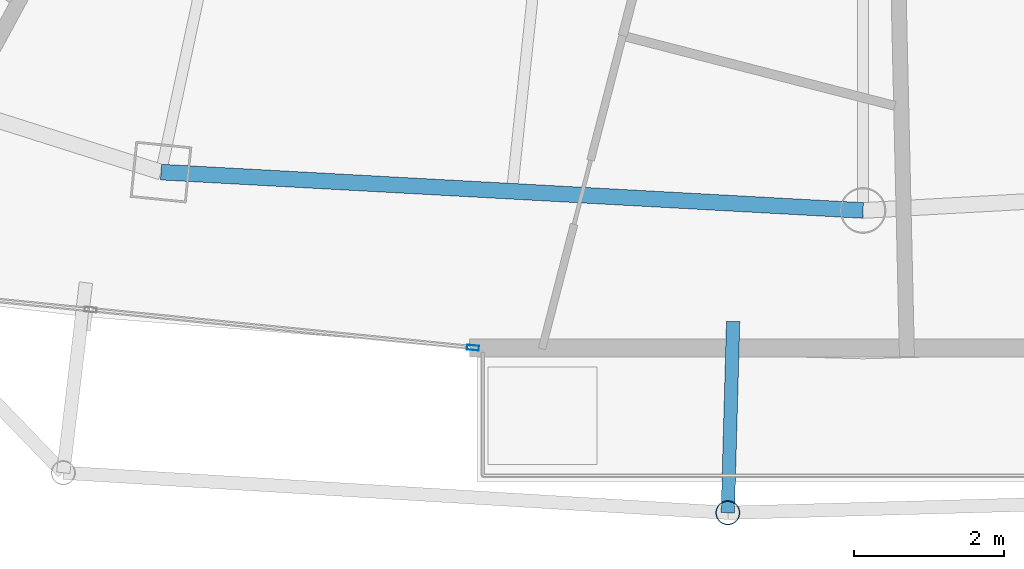
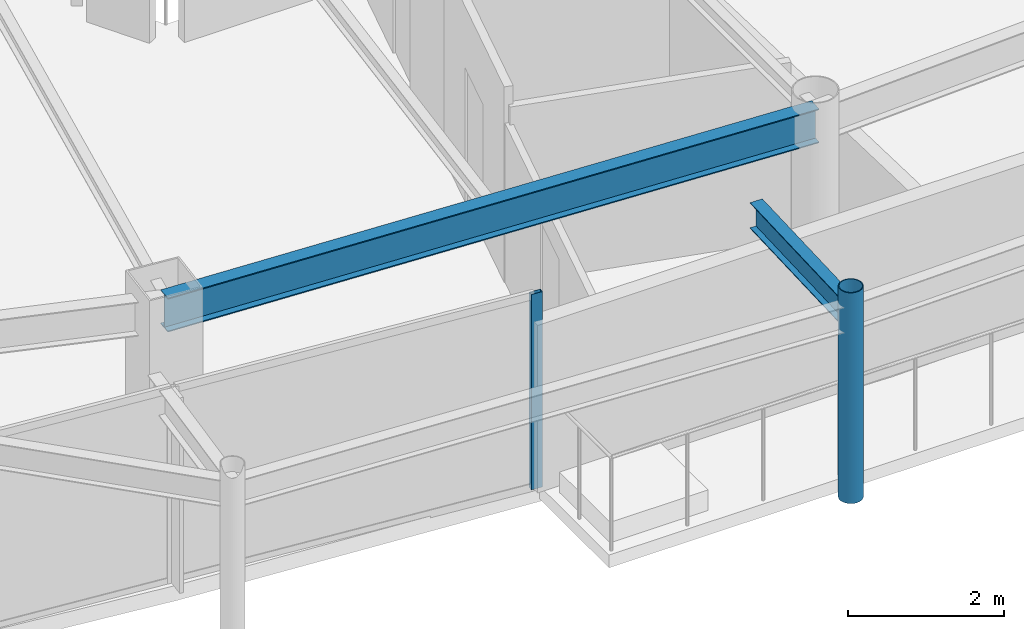
# One storey, part 7 of 30: 2 beams, 2 members, 1 element without a shape of its own.
"""IFC4 building model written with IfcOpenShell, lengths in metres."""

from ifc_helpers import new_model, si_unit, direction, frame, origin, origin_2d, place, context, subcontext, project, spatial, hollow_rectangle, hollow_circle, i_section, extrude, material, layer, layer_set, material_profile, profile_set, type_object, element, aggregate, save


model = new_model("IFC4")

# Units and contexts
model_context = context("Model", 3, precision=1e-05, world=origin(), true_north=direction((0.0, 1.0)))
body_context = subcontext(model_context, "Body", "Model", "MODEL_VIEW")
ifc_project = project(units=[si_unit("LENGTHUNIT", "METRE"), si_unit("AREAUNIT", "SQUARE_METRE"), si_unit("VOLUMEUNIT", "CUBIC_METRE"), si_unit("PLANEANGLEUNIT", "RADIAN"), si_unit("MASSUNIT", "GRAM", prefix="KILO")], contexts=[model_context])

# Site, building, storey
site_placement = place(None, origin())
site = spatial("IfcSite", under=ifc_project, at=site_placement, CompositionType="ELEMENT")
building_placement = place(site_placement, origin())
building = spatial("IfcBuilding", under=site, at=building_placement, Name="Orvanel Arch Residences", CompositionType="ELEMENT")
storey_placement = place(building_placement, frame((0.0, 0.0, 229.39990234375)))
storey = spatial("IfcBuildingStorey", under=building, at=storey_placement, Name="L65", CompositionType="ELEMENT", Elevation=229.39990234375)

# Curtain wall, member
ifc_material_1 = material(Name="Bronze-anodised aluminium AA6063-T6", Category="aluminium")
ifc_layer = layer(ifc_material_1, 0.175048828125)
ifc_layer_set = layer_set([ifc_layer], Name="Bronze-anodised aluminium AA6063-T6")
curtain_wall_type = type_object("IfcCurtainWallType", Name="CW4-HI-SYS", PredefinedType="NOTDEFINED", material=ifc_layer_set)
curtain_wall_placement = place(storey_placement, origin())
curtain_wall = element("IfcCurtainWall", 1, at=curtain_wall_placement, inside=storey, type_object=curtain_wall_type, Name="L65 CW4-HI-SYS Unitised Curtain Wall", PredefinedType="NOTDEFINED")
ifc_material_profile_1 = material_profile(ifc_material_1, hollow_rectangle(XDim=0.06494140625, YDim=0.159912109375, WallThickness=0.00390625, at=origin_2d()), Name="ALU160x65x4")
ifc_profile_set_1 = profile_set([ifc_material_profile_1], Name="Bronze-anodised aluminium AA6063-T6")
member_type_1 = type_object("IfcMemberType", Name="MUL-160x65", PredefinedType="MULLION", material=ifc_profile_set_1)
member_1_placement = place(storey_placement, frame((27.8037109375, 5.01611328125, 0.0), z_axis=(0.0, 0.0, 1.0), x_axis=(0.099032673027, 0.995084182204, 0.0)))
member_1 = element("IfcMember", 2, at=member_1_placement, type_object=member_type_1, Name="CW-S4 mullion 3", PredefinedType="MULLION", context=body_context, shape_type="SweptSolid", body=[
    extrude(hollow_rectangle(XDim=0.06494140625, YDim=0.159912109375, WallThickness=0.00390625, at=origin_2d()), origin(), (0.0, 0.0, 1.0), 3.06005859375),
])
aggregate(curtain_wall, [member_1])

# Beams
ifc_material_2 = material(Name="Structural steel AS/NZS 3679.1 Grade 300 (300 MPa)", Category="steel")
ifc_material_profile_2 = material_profile(ifc_material_2, i_section(OverallWidth=0.177978515625, OverallDepth=0.406005859375, WebThickness=0.0078125, FlangeThickness=0.0126953125, at=origin_2d()), Name="410UB59.7")
ifc_profile_set_2 = profile_set([ifc_material_profile_2], Name="Structural steel AS/NZS 3679.1 Grade 300 (300 MPa)")
beam_type_1 = type_object("IfcBeamType", Name="OB-410UB-EXT", PredefinedType="SPANDREL", material=ifc_profile_set_2)
beam_1_placement = place(storey_placement, frame((31.27001953125, 5.365966796875, 2.857177734375), z_axis=(-0.027860075025, -0.999611832773, 0.0), x_axis=(0.999611832773, -0.027860075025, 0.0)))
element("IfcBeam", 3, at=beam_1_placement, inside=storey, type_object=beam_type_1, Name="L65 Outer Frame Radial Tie Beam 06", PredefinedType="SPANDREL", context=body_context, shape_type="SweptSolid", body=[
    extrude(i_section(OverallWidth=0.177978515625, OverallDepth=0.406005859375, WebThickness=0.0078125, FlangeThickness=0.0126953125, at=origin_2d()), origin(), (0.0, 0.0, 1.0), 2.550048828125),
])
ifc_material_profile_3 = material_profile(ifc_material_2, i_section(OverallWidth=0.208984375, OverallDepth=0.532958984375, WebThickness=0.01025390625, FlangeThickness=0.015625, at=origin_2d()), Name="530UB92.4")
ifc_profile_set_3 = profile_set([ifc_material_profile_3], Name="Structural steel AS/NZS 3679.1 Grade 300 (300 MPa)")
beam_type_2 = type_object("IfcBeamType", Name="SP-530UB", PredefinedType="SPANDREL", material=ifc_profile_set_3)
beam_2_placement = place(storey_placement, frame((23.64892578125, 7.35498046875, 2.794189453125), z_axis=(0.998510315598, -0.054563262768, 0.0), x_axis=(0.054563262768, 0.998510315598, 0.0)))
element("IfcBeam", 4, at=beam_2_placement, inside=storey, type_object=beam_type_2, Name="L65 Perimeter Spandrel Beam 03", PredefinedType="SPANDREL", context=body_context, shape_type="SweptSolid", body=[
    extrude(i_section(OverallWidth=0.208984375, OverallDepth=0.532958984375, WebThickness=0.01025390625, FlangeThickness=0.015625, at=origin_2d()), origin(), (0.0, 0.0, 1.0), 9.364990234375),
])

# Member
ifc_material_3 = material(Name="Structural steel AS/NZS 1163 C350L0 (Grade 350)", Category="steel")
ifc_material_profile_4 = material_profile(ifc_material_3, hollow_circle(Radius=0.162109375, WallThickness=0.0126953125, at=origin_2d()), Name="CHS324x12.7")
ifc_profile_set_4 = profile_set([ifc_material_profile_4], Name="Structural steel AS/NZS 1163 C350L0 (Grade 350)")
member_type_2 = type_object("IfcMemberType", Name="ST-324CHS-EXT", PredefinedType="STRUT", material=ifc_profile_set_4)
member_2_placement = place(storey_placement, frame((31.198974609375, 2.81689453125, 0.0), z_axis=(0.0, 0.0, 1.0), x_axis=(1.0, 0.0, 0.0)))
element("IfcMember", 5, at=member_2_placement, inside=storey, type_object=member_type_2, Name="L65 Outer Perimeter Frame Post 06", PredefinedType="STRUT", context=body_context, shape_type="SweptSolid", body=[
    extrude(hollow_circle(Radius=0.162109375, WallThickness=0.0126953125, at=origin_2d()), origin(), (0.0, 0.0, 1.0), 3.300048828125),
])

save(model, "model.ifc")
